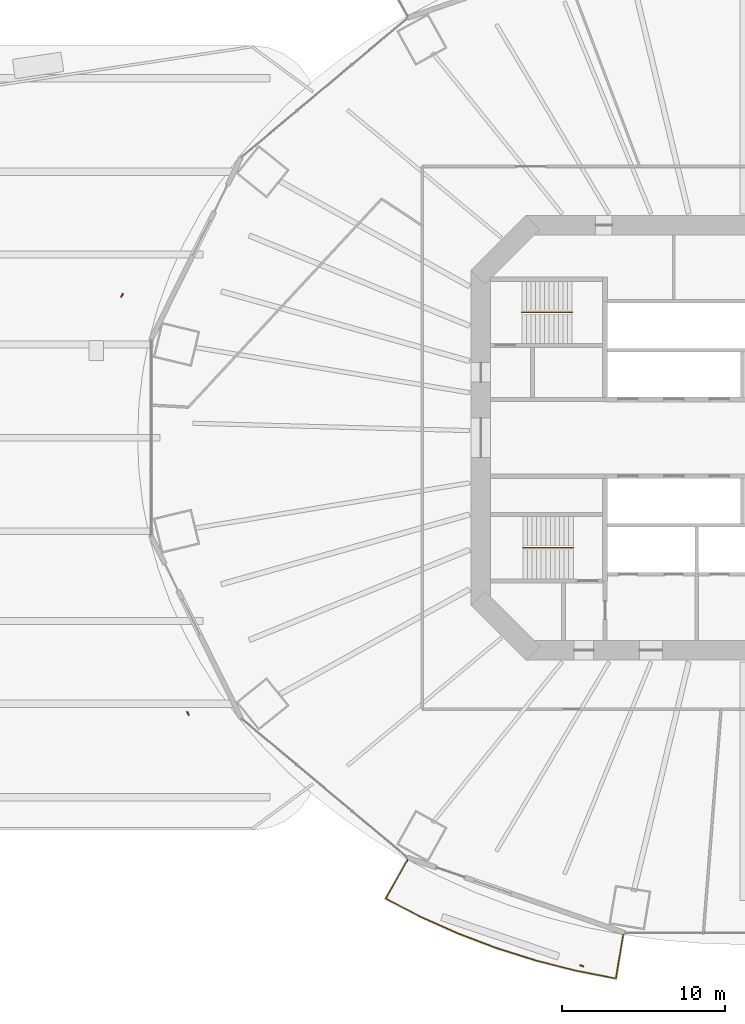
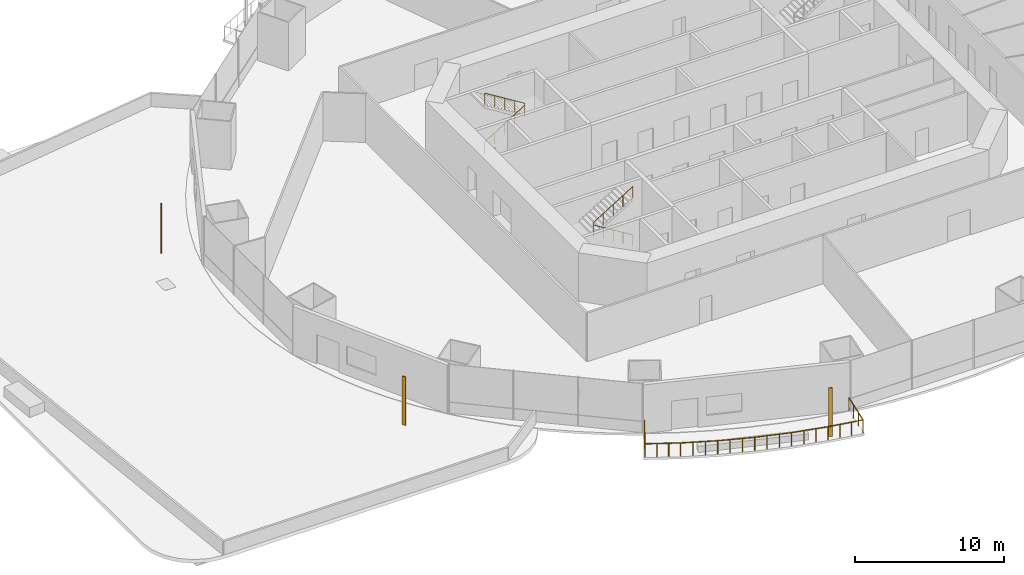
# One storey, part 23 of 27: 3 railings, 3 shading devices.
"""IFC4 building model written with IfcOpenShell, lengths in metres."""

from ifc_helpers import new_model, si_unit, direction, frame, origin, origin_2d, place, context, subcontext, project, spatial, rectangle, circle, extrude, material, material_profile, profile_set, type_object, element, save


model = new_model("IFC4")

# Units and contexts
model_context = context("Model", 3, precision=1e-05, world=origin(), true_north=direction((0.0, 1.0)))
body_context = subcontext(model_context, "Body", "Model", "MODEL_VIEW")
ifc_project = project(units=[si_unit("LENGTHUNIT", "METRE"), si_unit("AREAUNIT", "SQUARE_METRE"), si_unit("VOLUMEUNIT", "CUBIC_METRE"), si_unit("PLANEANGLEUNIT", "RADIAN"), si_unit("MASSUNIT", "GRAM", prefix="KILO")], contexts=[model_context])

# Site, building, storey
site_placement = place(None, origin())
site = spatial("IfcSite", under=ifc_project, at=site_placement, CompositionType="ELEMENT")
building_placement = place(site_placement, origin())
building = spatial("IfcBuilding", under=site, at=building_placement, Name="Marenthal Gate Tower", CompositionType="ELEMENT")
storey_placement = place(building_placement, frame((0.0, 0.0, 33.0)))
storey = spatial("IfcBuildingStorey", under=building, at=storey_placement, Name="L04", CompositionType="ELEMENT", Elevation=33.0)

# Railings
ifc_material_1 = material(Name="Stainless steel", Category="steel")
railing_type_1 = type_object("IfcRailingType", Name="Balcony guard 1100", PredefinedType="GUARDRAIL", material=ifc_material_1)
railing_1_placement = place(storey_placement, frame((-7.297119140625, -30.39111328125, 0.0)))
element("IfcRailing", 1, at=railing_1_placement, inside=storey, type_object=railing_type_1, Name="Balcony guard L04 bay 11", PredefinedType="GUARDRAIL", context=body_context, shape_type="SweptSolid", body=[
    extrude(circle(Radius=0.02392578125, at=origin_2d()), frame((0.0, 0.0, 1.076171875), z_axis=(-0.164512163182, -0.986265227064, -0.014719036968), x_axis=(0.986372081632, -0.164529986862, 0.0)), (0.0, 0.0, 1.0), 2.72021484375),
    extrude(circle(Radius=0.02392578125, at=origin_2d()), frame((-0.447509765625, -2.682861328125, 1.0361328125), z_axis=(-0.981295113893, 0.192509478854, 0.0), x_axis=(-0.192509478854, -0.981295113893, 0.0)), (0.0, 0.0, 1.0), 2.474365234375),
    extrude(circle(Radius=0.02392578125, at=origin_2d()), frame((-2.87548828125, -2.20654296875, 1.0361328125), z_axis=(-0.969175134663, 0.246372803593, 0.0), x_axis=(-0.246372803593, -0.969175134663, 0.0)), (0.0, 0.0, 1.0), 2.543701171875),
    extrude(circle(Radius=0.02392578125, at=origin_2d()), frame((-5.3408203125, -1.579833984375, 1.0361328125), z_axis=(-0.953699220219, 0.300762027778, 0.0), x_axis=(-0.300762027778, -0.953699220219, 0.0)), (0.0, 0.0, 1.0), 2.531005859375),
    extrude(circle(Radius=0.02392578125, at=origin_2d()), frame((-7.754638671875, -0.818603515625, 1.0361328125), z_axis=(-0.934889862007, 0.354937946572, 0.0), x_axis=(-0.354937946572, -0.934889862007, 0.0)), (0.0, 0.0, 1.0), 2.51611328125),
    extrude(circle(Radius=0.02392578125, at=origin_2d()), frame((-10.10693359375, 0.074462890625, 1.0361328125), z_axis=(-0.912627469977, 0.4087922468, 0.0), x_axis=(-0.4087922468, -0.912627469977, 0.0)), (0.0, 0.0, 1.0), 2.499267578125),
    extrude(circle(Radius=0.02392578125, at=origin_2d()), frame((-12.387939453125, 1.09619140625, 1.0361328125), z_axis=(-0.887343289023, 0.461109409387, 0.0), x_axis=(-0.461109409387, -0.887343289023, 0.0)), (0.0, 0.0, 1.0), 2.401123046875),
    extrude(circle(Radius=0.02392578125, at=origin_2d()), frame((-14.5185546875, 2.203369140625, 1.0361328125), z_axis=(0.488673415611, 0.872342626214, 0.014718538138), x_axis=(-0.872437131701, 0.488726356184, 0.0)), (0.0, 0.0, 1.0), 2.72021484375),
    extrude(circle(Radius=0.02099609375, at=origin_2d()), origin(), (0.0, 0.0, 1.0), 1.052001953125),
    extrude(circle(Radius=0.02099609375, at=origin_2d()), frame((-0.149169921875, -0.894287109375, -0.013427734375)), (0.0, 0.0, 1.0), 1.052001953125),
    extrude(circle(Radius=0.02099609375, at=origin_2d()), frame((-0.29833984375, -1.78857421875, -0.026611328125)), (0.0, 0.0, 1.0), 1.052001953125),
    extrude(circle(Radius=0.02099609375, at=origin_2d()), frame((-0.447509765625, -2.682861328125, -0.0400390625)), (0.0, 0.0, 1.0), 1.052001953125),
    extrude(circle(Radius=0.02099609375, at=origin_2d()), frame((-1.2568359375, -2.524169921875, -0.0400390625)), (0.0, 0.0, 1.0), 1.052001953125),
    extrude(circle(Radius=0.02099609375, at=origin_2d()), frame((-2.066162109375, -2.365234375, -0.0400390625)), (0.0, 0.0, 1.0), 1.052001953125),
    extrude(circle(Radius=0.02099609375, at=origin_2d()), frame((-2.87548828125, -2.20654296875, -0.0400390625)), (0.0, 0.0, 1.0), 1.052001953125),
    extrude(circle(Radius=0.02099609375, at=origin_2d()), frame((-3.697265625, -1.99755859375, -0.0400390625)), (0.0, 0.0, 1.0), 1.052001953125),
    extrude(circle(Radius=0.02099609375, at=origin_2d()), frame((-4.51904296875, -1.788818359375, -0.0400390625)), (0.0, 0.0, 1.0), 1.052001953125),
    extrude(circle(Radius=0.02099609375, at=origin_2d()), frame((-5.3408203125, -1.579833984375, -0.0400390625)), (0.0, 0.0, 1.0), 1.052001953125),
    extrude(circle(Radius=0.02099609375, at=origin_2d()), frame((-6.1455078125, -1.326171875, -0.0400390625)), (0.0, 0.0, 1.0), 1.052001953125),
    extrude(circle(Radius=0.02099609375, at=origin_2d()), frame((-6.949951171875, -1.072265625, -0.0400390625)), (0.0, 0.0, 1.0), 1.052001953125),
    extrude(circle(Radius=0.02099609375, at=origin_2d()), frame((-7.754638671875, -0.818603515625, -0.0400390625)), (0.0, 0.0, 1.0), 1.052001953125),
    extrude(circle(Radius=0.02099609375, at=origin_2d()), frame((-8.538818359375, -0.52099609375, -0.0400390625)), (0.0, 0.0, 1.0), 1.052001953125),
    extrude(circle(Radius=0.02099609375, at=origin_2d()), frame((-9.32275390625, -0.22314453125, -0.0400390625)), (0.0, 0.0, 1.0), 1.052001953125),
    extrude(circle(Radius=0.02099609375, at=origin_2d()), frame((-10.10693359375, 0.074462890625, -0.0400390625)), (0.0, 0.0, 1.0), 1.052001953125),
    extrude(circle(Radius=0.02099609375, at=origin_2d()), frame((-10.8671875, 0.4150390625, -0.0400390625)), (0.0, 0.0, 1.0), 1.052001953125),
    extrude(circle(Radius=0.02099609375, at=origin_2d()), frame((-11.627685546875, 0.755615234375, -0.0400390625)), (0.0, 0.0, 1.0), 1.052001953125),
    extrude(circle(Radius=0.02099609375, at=origin_2d()), frame((-12.387939453125, 1.09619140625, -0.0400390625)), (0.0, 0.0, 1.0), 1.052001953125),
    extrude(circle(Radius=0.02099609375, at=origin_2d()), frame((-13.09814453125, 1.46533203125, -0.0400390625)), (0.0, 0.0, 1.0), 1.052001953125),
    extrude(circle(Radius=0.02099609375, at=origin_2d()), frame((-13.808349609375, 1.834228515625, -0.0400390625)), (0.0, 0.0, 1.0), 1.052001953125),
    extrude(circle(Radius=0.02099609375, at=origin_2d()), frame((-14.5185546875, 2.203369140625, -0.0400390625)), (0.0, 0.0, 1.0), 1.052001953125),
    extrude(circle(Radius=0.02099609375, at=origin_2d()), frame((-14.075439453125, 2.994384765625, -0.026611328125)), (0.0, 0.0, 1.0), 1.052001953125),
    extrude(circle(Radius=0.02099609375, at=origin_2d()), frame((-13.63232421875, 3.785400390625, -0.013427734375)), (0.0, 0.0, 1.0), 1.052001953125),
    extrude(circle(Radius=0.02099609375, at=origin_2d()), frame((-13.189208984375, 4.576416015625, 0.0)), (0.0, 0.0, 1.0), 1.052001953125),
])
ifc_material_2 = material(Name="Stainless steel", Category="steel")
railing_type_2 = type_object("IfcRailingType", Name="Stair handrail", PredefinedType="HANDRAIL", material=ifc_material_2)
railing_2_placement = place(storey_placement, frame((-13.5, 7.675048828125, 0.1728515625)))
element("IfcRailing", 2, at=railing_2_placement, inside=storey, type_object=railing_type_2, Name="Handrail ST1", PredefinedType="HANDRAIL", context=body_context, shape_type="SweptSolid", body=[
    extrude(circle(Radius=0.0224609375, at=origin_2d()), frame((0.0, 0.0, 0.927490234375), z_axis=(0.850835241893, 0.0, 0.525432575268), x_axis=(0.0, 1.0, 0.0)), (0.0, 0.0, 1.0), 3.6201171875),
    extrude(circle(Radius=0.0224609375, at=origin_2d()), frame((3.080078125, 0.0, 2.82958984375), z_axis=(0.0, 0.0, 1.0), x_axis=(1.0, 0.0, 0.0)), (0.0, 0.0, 1.0), 0.1728515625),
    extrude(circle(Radius=0.0224609375, at=origin_2d()), frame((3.080078125, 0.0, 3.00244140625), z_axis=(-0.850835241893, 0.0, 0.525432575268), x_axis=(0.0, -1.0, 0.0)), (0.0, 0.0, 1.0), 3.6201171875),
    extrude(circle(Radius=0.02001953125, at=origin_2d()), origin(), (0.0, 0.0, 1.0), 0.905029296875),
    extrude(circle(Radius=0.02001953125, at=origin_2d()), frame((0.77001953125, 0.0, 0.4755859375)), (0.0, 0.0, 1.0), 0.905029296875),
    extrude(circle(Radius=0.02001953125, at=origin_2d()), frame((1.5400390625, 0.0, 0.951171875)), (0.0, 0.0, 1.0), 0.905029296875),
    extrude(circle(Radius=0.02001953125, at=origin_2d()), frame((2.31005859375, 0.0, 1.426513671875)), (0.0, 0.0, 1.0), 0.905029296875),
    extrude(circle(Radius=0.02001953125, at=origin_2d()), frame((3.080078125, 0.0, 1.902099609375)), (0.0, 0.0, 1.0), 0.905029296875),
    extrude(circle(Radius=0.02001953125, at=origin_2d()), frame((3.080078125, 0.0, 2.074951171875)), (0.0, 0.0, 1.0), 0.905029296875),
    extrude(circle(Radius=0.02001953125, at=origin_2d()), frame((2.31005859375, 0.0, 2.550537109375)), (0.0, 0.0, 1.0), 0.905029296875),
    extrude(circle(Radius=0.02001953125, at=origin_2d()), frame((1.5400390625, 0.0, 3.02587890625)), (0.0, 0.0, 1.0), 0.905029296875),
    extrude(circle(Radius=0.02001953125, at=origin_2d()), frame((0.77001953125, 0.0, 3.50146484375)), (0.0, 0.0, 1.0), 0.905029296875),
    extrude(circle(Radius=0.02001953125, at=origin_2d()), frame((0.0, 0.0, 3.97705078125)), (0.0, 0.0, 1.0), 0.905029296875),
])
railing_3_placement = place(storey_placement, frame((-10.35009765625, -6.72509765625, 0.1728515625)))
element("IfcRailing", 3, at=railing_3_placement, inside=storey, type_object=railing_type_2, Name="Handrail ST2", PredefinedType="HANDRAIL", context=body_context, shape_type="SweptSolid", body=[
    extrude(circle(Radius=0.0224609375, at=origin_2d()), frame((0.0, 0.0, 0.927490234375), z_axis=(-0.850816621229, 0.0, 0.525462726595), x_axis=(0.0, -1.0, 0.0)), (0.0, 0.0, 1.0), 3.619873046875),
    extrude(circle(Radius=0.0224609375, at=origin_2d()), frame((-3.079833984375, 0.0, 2.82958984375), z_axis=(0.0, 0.0, 1.0), x_axis=(1.0, 0.0, 0.0)), (0.0, 0.0, 1.0), 0.1728515625),
    extrude(circle(Radius=0.0224609375, at=origin_2d()), frame((-3.079833984375, 0.0, 3.00244140625), z_axis=(0.850816621229, 0.0, 0.525462726595), x_axis=(0.0, 1.0, 0.0)), (0.0, 0.0, 1.0), 3.619873046875),
    extrude(circle(Radius=0.02001953125, at=origin_2d()), origin(), (0.0, 0.0, 1.0), 0.905029296875),
    extrude(circle(Radius=0.02001953125, at=origin_2d()), frame((-0.77001953125, 0.0, 0.4755859375)), (0.0, 0.0, 1.0), 0.905029296875),
    extrude(circle(Radius=0.02001953125, at=origin_2d()), frame((-1.5400390625, 0.0, 0.951171875)), (0.0, 0.0, 1.0), 0.905029296875),
    extrude(circle(Radius=0.02001953125, at=origin_2d()), frame((-2.309814453125, 0.0, 1.426513671875)), (0.0, 0.0, 1.0), 0.905029296875),
    extrude(circle(Radius=0.02001953125, at=origin_2d()), frame((-3.079833984375, 0.0, 1.902099609375)), (0.0, 0.0, 1.0), 0.905029296875),
    extrude(circle(Radius=0.02001953125, at=origin_2d()), frame((-3.079833984375, 0.0, 2.074951171875)), (0.0, 0.0, 1.0), 0.905029296875),
    extrude(circle(Radius=0.02001953125, at=origin_2d()), frame((-2.309814453125, 0.0, 2.550537109375)), (0.0, 0.0, 1.0), 0.905029296875),
    extrude(circle(Radius=0.02001953125, at=origin_2d()), frame((-1.5400390625, 0.0, 3.02587890625)), (0.0, 0.0, 1.0), 0.905029296875),
    extrude(circle(Radius=0.02001953125, at=origin_2d()), frame((-0.77001953125, 0.0, 3.50146484375)), (0.0, 0.0, 1.0), 0.905029296875),
    extrude(circle(Radius=0.02001953125, at=origin_2d()), frame((0.0, 0.0, 3.97705078125)), (0.0, 0.0, 1.0), 0.905029296875),
])

# Shading devices
ifc_material_3 = material(Name="Terracotta", Category="masonry")
ifc_material_profile = material_profile(ifc_material_3, rectangle(XDim=0.25, YDim=0.080078125, at=origin_2d()), Name="Terracotta baguette 250x80")
ifc_profile_set = profile_set([ifc_material_profile], Name="Terracotta")
shading_device_type = type_object("IfcShadingDeviceType", Name="Terracotta BAGUETTE SCREEN 250x80", PredefinedType="USERDEFINED", material=ifc_profile_set)
for number, where, z_axis, x_axis, name in (
    (4, (-37.94921875, 8.7177734375, -0.0400390625), (0.0, 0.0, 1.0), (-0.443119622411, -0.896462492374, 0.0), "Terracotta BAGUETTE L04 bay 7R"),
    (5, (-33.922119140625, -16.865234375, -0.0400390625), (0.0, 0.0, 1.0), (0.443119622411, -0.896462492374, 0.0), "Terracotta BAGUETTE L04 bay 9R"),
    (6, (-9.830078125, -32.298095703125, -0.0400390625), (0.0, 0.0, 1.0), (0.944708230663, -0.327912120725, 0.0), "Terracotta BAGUETTE L04 bay 11R"),
):
    element("IfcShadingDevice", number, at=place(storey_placement, frame(where, z_axis=z_axis, x_axis=x_axis)), inside=storey, type_object=shading_device_type, Name=name, ObjectType="BAGUETTE SCREEN", PredefinedType="USERDEFINED", context=body_context, shape_type="SweptSolid", body=[
        extrude(rectangle(XDim=0.25, YDim=0.080078125, at=origin_2d()), origin(), (0.0, 0.0, 1.0), 3.969970703125),
    ])

save(model, "model.ifc")
